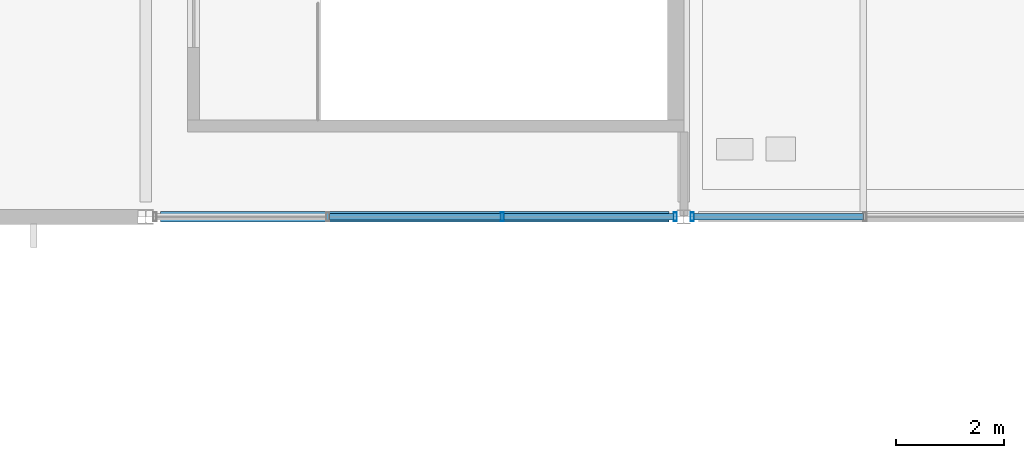
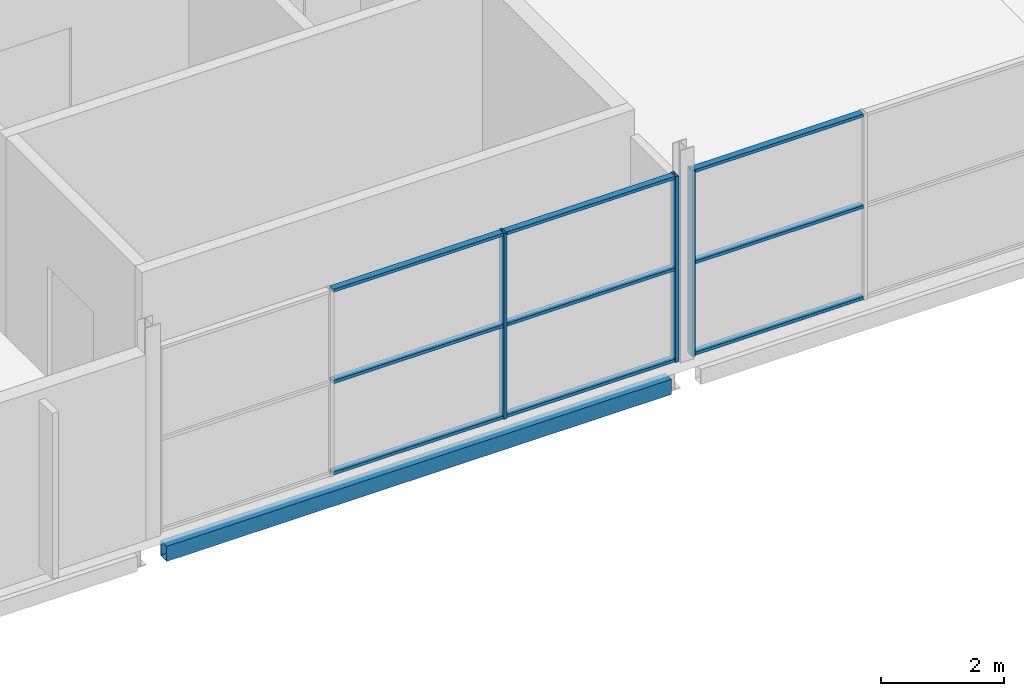
# One storey, part 92 of 161: 12 members, 1 beam, 2 elements without a shape of their own.
"""IFC4 building model written with IfcOpenShell, lengths in metres."""

from ifc_helpers import new_model, si_unit, direction, frame, origin, origin_2d, place, context, subcontext, project, spatial, hollow_rectangle, extrude, material, material_profile, profile_set, type_object, element, aggregate, save


model = new_model("IFC4")

# Units and contexts
model_context = context("Model", 3, precision=1e-05, world=origin(), true_north=direction((0.0, 1.0)))
body_context = subcontext(model_context, "Body", "Model", "MODEL_VIEW")
ifc_project = project(units=[si_unit("LENGTHUNIT", "METRE"), si_unit("AREAUNIT", "SQUARE_METRE"), si_unit("VOLUMEUNIT", "CUBIC_METRE"), si_unit("PLANEANGLEUNIT", "RADIAN"), si_unit("MASSUNIT", "GRAM", prefix="KILO"), si_unit("THERMODYNAMICTEMPERATUREUNIT", "KELVIN")], contexts=[model_context])

# Site, building, storey
site_placement = place(None, origin())
site = spatial("IfcSite", under=ifc_project, at=site_placement, CompositionType="ELEMENT")
building_placement = place(site_placement, origin())
building = spatial("IfcBuilding", under=site, at=building_placement, Name="Nduvali Passage Aquatics Centre", CompositionType="ELEMENT")
storey_placement = place(building_placement, frame((0.0, 0.0, 4.800048828125)))
storey = spatial("IfcBuildingStorey", under=building, at=storey_placement, Name="L01", CompositionType="ELEMENT", Elevation=4.800048828125)

# Curtain wall, members
ifc_material_1 = material(Name="Aluminium EN AW-6063 T6", Category="aluminium")
curtain_wall_type = type_object("IfcCurtainWallType", Name="ENV-CW-PASS", PredefinedType="NOTDEFINED", material=ifc_material_1)
curtain_wall_1_placement = place(storey_placement, origin())
curtain_wall_1 = element("IfcCurtainWall", 1, at=curtain_wall_1_placement, inside=storey, type_object=curtain_wall_type, Name="L01 South Pavilion Upper CW 092", PredefinedType="NOTDEFINED")
ifc_material_profile_1 = material_profile(ifc_material_1, hollow_rectangle(XDim=0.06005859375, YDim=0.159912109375, WallThickness=0.00390625, at=origin_2d()), Name="ALU MULLION 60x160x4")
ifc_profile_set_1 = profile_set([ifc_material_profile_1], Name="Aluminium EN AW-6063 T6")
member_type_1 = type_object("IfcMemberType", Name="ENV-MEM-MUL60", PredefinedType="MULLION", material=ifc_profile_set_1)
member_1_placement = place(storey_placement, frame((154.6279296875, 25.199951171875, 0.0), z_axis=(0.0, 0.0, 1.0), x_axis=(1.0, 0.0, 0.0)))
member_1 = element("IfcMember", 2, at=member_1_placement, type_object=member_type_1, Name="South Pavilion Upper CW Mullion 3", PredefinedType="MULLION", context=body_context, shape_type="SweptSolid", body=[
    extrude(hollow_rectangle(XDim=0.06005859375, YDim=0.159912109375, WallThickness=0.00390625, at=origin_2d()), origin(), (0.0, 0.0, 1.0), 3.676025390625),
])
member_2_placement = place(storey_placement, frame((157.841796875, 25.199951171875, 0.0), z_axis=(0.0, 0.0, 1.0), x_axis=(1.0, 0.0, 0.0)))
member_2 = element("IfcMember", 3, at=member_2_placement, type_object=member_type_1, Name="South Pavilion Upper CW Mullion 4", PredefinedType="MULLION", context=body_context, shape_type="SweptSolid", body=[
    extrude(hollow_rectangle(XDim=0.06005859375, YDim=0.159912109375, WallThickness=0.00390625, at=origin_2d()), origin(), (0.0, 0.0, 1.0), 3.676025390625),
])

# Curtain wall, member
curtain_wall_2_placement = place(storey_placement, origin())
curtain_wall_2 = element("IfcCurtainWall", 4, at=curtain_wall_2_placement, inside=storey, type_object=curtain_wall_type, Name="L01 South Pavilion Upper CW 094", PredefinedType="NOTDEFINED")
member_3_placement = place(storey_placement, frame((158.158203125, 25.199951171875, 0.0), z_axis=(0.0, 0.0, 1.0), x_axis=(1.0, 0.0, 0.0)))
member_3 = element("IfcMember", 5, at=member_3_placement, type_object=member_type_1, Name="South Pavilion Upper CW Mullion 1", PredefinedType="MULLION", context=body_context, shape_type="SweptSolid", body=[
    extrude(hollow_rectangle(XDim=0.06005859375, YDim=0.159912109375, WallThickness=0.00390625, at=origin_2d()), origin(), (0.0, 0.0, 1.0), 3.676025390625),
])

# Member
ifc_material_profile_2 = material_profile(ifc_material_1, hollow_rectangle(XDim=0.1201171875, YDim=0.06005859375, WallThickness=0.00390625, at=origin_2d()), Name="ALU TRANSOM 120x60x4")
ifc_profile_set_2 = profile_set([ifc_material_profile_2], Name="Aluminium EN AW-6063 T6")
member_type_2 = type_object("IfcMemberType", Name="ENV-MEM-TRN60", PredefinedType="USERDEFINED", material=ifc_profile_set_2)
member_4_placement = place(storey_placement, frame((151.4140625, 25.199951171875, 0.030029296875), z_axis=(1.0, 0.0, 0.0), x_axis=(0.0, 1.0, 0.0)))
member_4 = element("IfcMember", 6, at=member_4_placement, type_object=member_type_2, Name="South Pavilion Upper CW Transom B2-R0", ObjectType="TRANSOM", PredefinedType="USERDEFINED", context=body_context, shape_type="SweptSolid", body=[
    extrude(hollow_rectangle(XDim=0.1201171875, YDim=0.06005859375, WallThickness=0.00390625, at=origin_2d()), origin(), (0.0, 0.0, 1.0), 3.183837890625),
])

member_5_placement = place(storey_placement, frame((151.4140625, 25.199951171875, 1.837890625), z_axis=(1.0, 0.0, 0.0), x_axis=(0.0, 1.0, 0.0)))
member_5 = element("IfcMember", 7, at=member_5_placement, type_object=member_type_2, Name="South Pavilion Upper CW Transom B2-R1", ObjectType="TRANSOM", PredefinedType="USERDEFINED", context=body_context, shape_type="SweptSolid", body=[
    extrude(hollow_rectangle(XDim=0.1201171875, YDim=0.06005859375, WallThickness=0.00390625, at=origin_2d()), origin(), (0.0, 0.0, 1.0), 3.183837890625),
])

member_6_placement = place(storey_placement, frame((151.4140625, 25.199951171875, 3.64599609375), z_axis=(1.0, 0.0, 0.0), x_axis=(0.0, 1.0, 0.0)))
member_6 = element("IfcMember", 8, at=member_6_placement, type_object=member_type_2, Name="South Pavilion Upper CW Transom B2-R2", ObjectType="TRANSOM", PredefinedType="USERDEFINED", context=body_context, shape_type="SweptSolid", body=[
    extrude(hollow_rectangle(XDim=0.1201171875, YDim=0.06005859375, WallThickness=0.00390625, at=origin_2d()), origin(), (0.0, 0.0, 1.0), 3.183837890625),
])

member_7_placement = place(storey_placement, frame((154.657958984375, 25.199951171875, 0.030029296875), z_axis=(1.0, 0.0, 0.0), x_axis=(0.0, 1.0, 0.0)))
member_7 = element("IfcMember", 9, at=member_7_placement, type_object=member_type_2, Name="South Pavilion Upper CW Transom B3-R0", ObjectType="TRANSOM", PredefinedType="USERDEFINED", context=body_context, shape_type="SweptSolid", body=[
    extrude(hollow_rectangle(XDim=0.1201171875, YDim=0.06005859375, WallThickness=0.00390625, at=origin_2d()), origin(), (0.0, 0.0, 1.0), 3.154052734375),
])

member_8_placement = place(storey_placement, frame((154.657958984375, 25.199951171875, 1.837890625), z_axis=(1.0, 0.0, 0.0), x_axis=(0.0, 1.0, 0.0)))
member_8 = element("IfcMember", 10, at=member_8_placement, type_object=member_type_2, Name="South Pavilion Upper CW Transom B3-R1", ObjectType="TRANSOM", PredefinedType="USERDEFINED", context=body_context, shape_type="SweptSolid", body=[
    extrude(hollow_rectangle(XDim=0.1201171875, YDim=0.06005859375, WallThickness=0.00390625, at=origin_2d()), origin(), (0.0, 0.0, 1.0), 3.154052734375),
])

member_9_placement = place(storey_placement, frame((154.657958984375, 25.199951171875, 3.64599609375), z_axis=(1.0, 0.0, 0.0), x_axis=(0.0, 1.0, 0.0)))
member_9 = element("IfcMember", 11, at=member_9_placement, type_object=member_type_2, Name="South Pavilion Upper CW Transom B3-R2", ObjectType="TRANSOM", PredefinedType="USERDEFINED", context=body_context, shape_type="SweptSolid", body=[
    extrude(hollow_rectangle(XDim=0.1201171875, YDim=0.06005859375, WallThickness=0.00390625, at=origin_2d()), origin(), (0.0, 0.0, 1.0), 3.154052734375),
])

aggregate(curtain_wall_1, [member_1, member_2, member_4, member_5, member_6, member_7, member_8, member_9])

member_10_placement = place(storey_placement, frame((158.18798828125, 25.199951171875, 0.030029296875), z_axis=(1.0, 0.0, 0.0), x_axis=(0.0, 1.0, 0.0)))
member_10 = element("IfcMember", 12, at=member_10_placement, type_object=member_type_2, Name="South Pavilion Upper CW Transom B1-R0", ObjectType="TRANSOM", PredefinedType="USERDEFINED", context=body_context, shape_type="SweptSolid", body=[
    extrude(hollow_rectangle(XDim=0.1201171875, YDim=0.06005859375, WallThickness=0.00390625, at=origin_2d()), origin(), (0.0, 0.0, 1.0), 3.150634765625),
])

member_11_placement = place(storey_placement, frame((158.18798828125, 25.199951171875, 1.837890625), z_axis=(1.0, 0.0, 0.0), x_axis=(0.0, 1.0, 0.0)))
member_11 = element("IfcMember", 13, at=member_11_placement, type_object=member_type_2, Name="South Pavilion Upper CW Transom B1-R1", ObjectType="TRANSOM", PredefinedType="USERDEFINED", context=body_context, shape_type="SweptSolid", body=[
    extrude(hollow_rectangle(XDim=0.1201171875, YDim=0.06005859375, WallThickness=0.00390625, at=origin_2d()), origin(), (0.0, 0.0, 1.0), 3.150634765625),
])

member_12_placement = place(storey_placement, frame((158.18798828125, 25.199951171875, 3.64599609375), z_axis=(1.0, 0.0, 0.0), x_axis=(0.0, 1.0, 0.0)))
member_12 = element("IfcMember", 14, at=member_12_placement, type_object=member_type_2, Name="South Pavilion Upper CW Transom B1-R2", ObjectType="TRANSOM", PredefinedType="USERDEFINED", context=body_context, shape_type="SweptSolid", body=[
    extrude(hollow_rectangle(XDim=0.1201171875, YDim=0.06005859375, WallThickness=0.00390625, at=origin_2d()), origin(), (0.0, 0.0, 1.0), 3.150634765625),
])

aggregate(curtain_wall_2, [member_3, member_10, member_11, member_12])

# Beam
ifc_material_2 = material(Name="Steel S355", Category="steel")
ifc_material_profile_3 = material_profile(ifc_material_2, hollow_rectangle(XDim=0.199951171875, YDim=0.300048828125, WallThickness=0.010009765625, at=origin_2d()), Name="RHS 300x200x10.0")
ifc_profile_set_3 = profile_set([ifc_material_profile_3], Name="Steel S355")
beam_type = type_object("IfcBeamType", Name="STR-SPN-RHS300-EXT", PredefinedType="SPANDREL", material=ifc_profile_set_3)
beam_placement = place(storey_placement, frame((148.27490234375, 25.199951171875, -0.43408203125), z_axis=(1.0, 0.0, 0.0), x_axis=(0.0, 1.0, 0.0)))
element("IfcBeam", 15, at=beam_placement, inside=storey, type_object=beam_type, Name="L01 Primary X-Girder SP3E-0454", PredefinedType="SPANDREL", context=body_context, shape_type="SweptSolid", body=[
    extrude(hollow_rectangle(XDim=0.199951171875, YDim=0.300048828125, WallThickness=0.010009765625, at=origin_2d()), origin(), (0.0, 0.0, 1.0), 9.4501953125),
])

save(model, "model.ifc")
